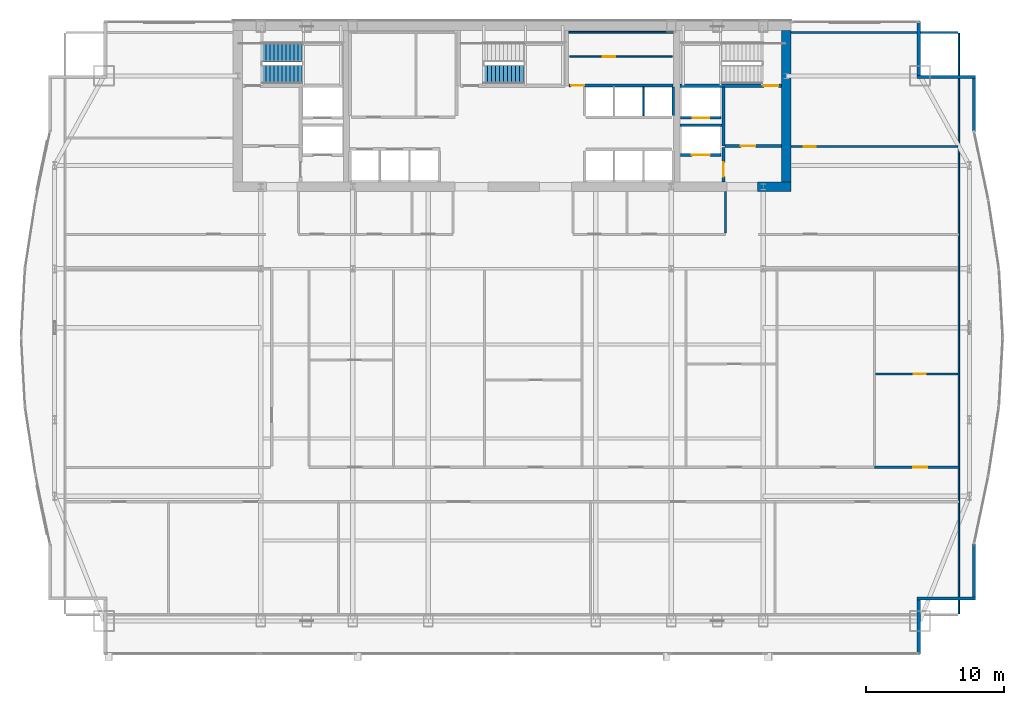
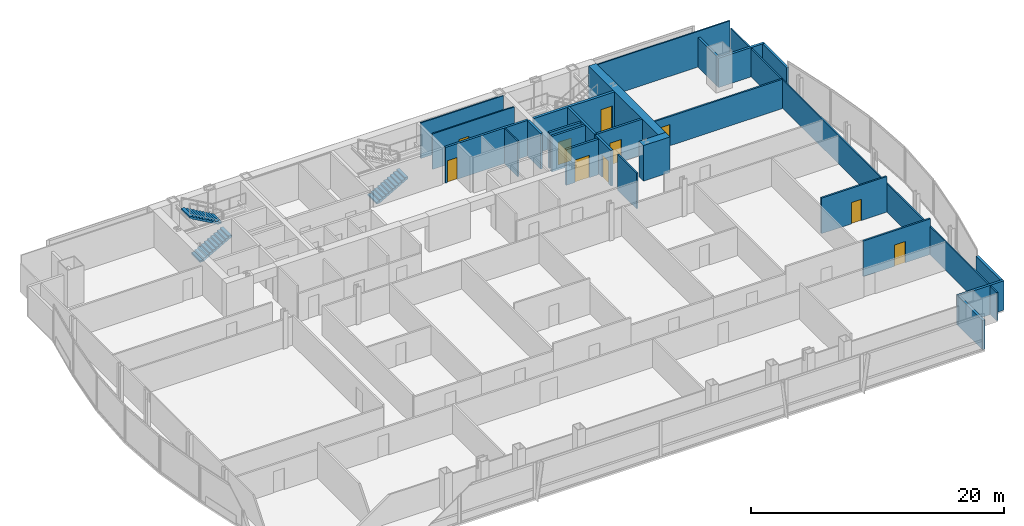
# One storey, part 30 of 33: 26 walls, 10 doors, 3 stair flights, 10 openings, 2 elements without a shape of their own.
"""IFC4 building model written with IfcOpenShell, lengths in metres."""

from ifc_helpers import new_model, si_unit, direction, frame, frame_2d, origin, place, context, subcontext, project, spatial, polyline, rectangle, outline, extrude, material, layer, layer_set, type_object, element, fill, aggregate, save


model = new_model("IFC4")

# Units and contexts
model_context = context("Model", 3, precision=1e-05, world=origin(), true_north=direction((0.0, 1.0)))
body_context = subcontext(model_context, "Body", "Model", "MODEL_VIEW")
ifc_project = project(units=[si_unit("LENGTHUNIT", "METRE"), si_unit("AREAUNIT", "SQUARE_METRE"), si_unit("VOLUMEUNIT", "CUBIC_METRE"), si_unit("PLANEANGLEUNIT", "RADIAN"), si_unit("MASSUNIT", "GRAM", prefix="KILO")], contexts=[model_context])

# Site, building, storey
site_placement = place(None, origin())
site = spatial("IfcSite", under=ifc_project, at=site_placement, CompositionType="ELEMENT")
building_placement = place(site_placement, origin())
building = spatial("IfcBuilding", under=site, at=building_placement, Name="Khoronbel Lancet Exchange", CompositionType="ELEMENT")
storey_placement = place(building_placement, frame((0.0, 0.0, 114.60009765625)))
storey = spatial("IfcBuildingStorey", under=building, at=storey_placement, Name="L27", CompositionType="ELEMENT", Elevation=114.60009765625)

# Walls
ifc_material_1 = material(Name="Concrete C80/95", Category="concrete")
ifc_layer_1 = layer(ifc_material_1, 0.699951171875, Name="Concrete C80/95")
ifc_layer_set_1 = layer_set([ifc_layer_1], Name="Concrete C80/95")
wall_type_1 = type_object("IfcWallType", Name="WL-CW2", PredefinedType="SHEAR", material=ifc_layer_set_1)
wall_1_placement = place(storey_placement, frame((56.35009765625, 53.0, 0.0), z_axis=(0.0, 0.0, 1.0), x_axis=(0.0, -1.0, 0.0)))
element("IfcWall", 1, at=wall_1_placement, inside=storey, type_object=wall_type_1, Name="Level L27 rear core east shear wall", PredefinedType="SHEAR", context=body_context, shape_type="SweptSolid", body=[
    extrude(rectangle(XDim=11.0, YDim=0.699951171875, at=frame_2d((5.5, 0.0))), origin(), (0.0, 0.0, 1.0), 3.43994140625),
])
wall_2_placement = place(storey_placement, frame((56.699951171875, 41.64990234375, 0.0), z_axis=(0.0, 0.0, 1.0), x_axis=(-1.0, 0.0, 0.0)))
element("IfcWall", 2, at=wall_2_placement, inside=storey, type_object=wall_type_1, Name="Level L27 rear core south shear wall pier P5", PredefinedType="SHEAR", context=body_context, shape_type="SweptSolid", body=[
    extrude(rectangle(XDim=2.449951171875, YDim=0.699951171875, at=frame_2d((1.22509765625, 0.0))), origin(), (0.0, 0.0, 1.0), 3.43994140625),
])
ifc_material_2 = material(Name="Precast concrete C40/50", Category="concrete")
ifc_layer_2 = layer(ifc_material_2, 0.25, Name="Precast concrete C40/50")
ifc_layer_set_2 = layer_set([ifc_layer_2], Name="Precast concrete C40/50")
wall_type_2 = type_object("IfcWallType", Name="WL-EXT250", PredefinedType="SOLIDWALL", material=ifc_layer_set_2)
wall_3_placement = place(storey_placement, frame((65.9599609375, 53.6298828125, 0.0), z_axis=(0.0, 0.0, 1.0), x_axis=(0.0, -1.0, 0.0)))
element("IfcWall", 3, at=wall_3_placement, inside=storey, type_object=wall_type_2, Name="Level L27 notched-corner limestone pier 14", PredefinedType="SOLIDWALL", context=body_context, shape_type="SweptSolid", body=[
    extrude(rectangle(XDim=3.909912109375, YDim=0.219970703125, at=frame_2d((1.955078125, 0.0))), origin(), (0.0, 0.0, 1.0), 2.829833984375),
])
wall_4_placement = place(storey_placement, frame((65.85009765625, 49.610107421875, 0.0), z_axis=(0.0, 0.0, 1.0), x_axis=(1.0, 0.0, 0.0)))
element("IfcWall", 4, at=wall_4_placement, inside=storey, type_object=wall_type_2, Name="Level L27 notched-corner limestone pier 15", PredefinedType="SOLIDWALL", context=body_context, shape_type="SweptSolid", body=[
    extrude(rectangle(XDim=4.219970703125, YDim=0.219970703125, at=frame_2d((2.10986328125, 0.0))), origin(), (0.0, 0.0, 1.0), 2.829833984375),
])
for number, where, z_axis, x_axis, name in (
    (5, (69.9599609375, 49.5, 0.0), (0.0, 0.0, 1.0), (0.0, -1.0, 0.0), "Level L27 notched-corner limestone pier 16"),
    (6, (69.9599609375, 15.729248046875, 0.0), (0.0, 0.0, 1.0), (0.0, -1.0, 0.0), "Level L27 notched-corner limestone pier 23"),
):
    element("IfcWall", number, at=place(storey_placement, frame(where, z_axis=z_axis, x_axis=x_axis)), inside=storey, type_object=wall_type_2, Name=name, PredefinedType="SOLIDWALL", context=body_context, shape_type="SweptSolid", body=[
        extrude(rectangle(XDim=3.829345703125, YDim=0.219970703125, at=frame_2d((1.91455078125, 0.0))), origin(), (0.0, 0.0, 1.0), 2.829833984375),
    ])
wall_5_placement = place(storey_placement, frame((70.070068359375, 11.7900390625, 0.0), z_axis=(0.0, 0.0, 1.0), x_axis=(-1.0, 0.0, 0.0)))
element("IfcWall", 7, at=wall_5_placement, inside=storey, type_object=wall_type_2, Name="Level L27 notched-corner limestone pier 24", PredefinedType="SOLIDWALL", context=body_context, shape_type="SweptSolid", body=[
    extrude(rectangle(XDim=4.219970703125, YDim=0.219970703125, at=frame_2d((2.10986328125, 0.0))), origin(), (0.0, 0.0, 1.0), 2.829833984375),
])
wall_6_placement = place(storey_placement, frame((65.9599609375, 11.679931640625, 0.0), z_axis=(0.0, 0.0, 1.0), x_axis=(0.0, -1.0, 0.0)))
element("IfcWall", 8, at=wall_6_placement, inside=storey, type_object=wall_type_2, Name="Level L27 notched-corner limestone pier 25", PredefinedType="SOLIDWALL", context=body_context, shape_type="SweptSolid", body=[
    extrude(rectangle(XDim=3.909912109375, YDim=0.219970703125, at=frame_2d((1.955078125, 0.0))), origin(), (0.0, 0.0, 1.0), 2.829833984375),
])
ifc_material_3 = material(Name="Acoustic Metal-Stud & Mineral-Wool Gypsum Partition 120 mm", Category="gypsum")
ifc_layer_3 = layer(ifc_material_3, 0.1201171875, Name="Acoustic Metal-Stud & Mineral-Wool Gypsum Partition 120 mm")
ifc_layer_set_3 = layer_set([ifc_layer_3], Name="Acoustic Metal-Stud & Mineral-Wool Gypsum Partition 120 mm")
wall_type_3 = type_object("IfcWallType", Name="WL-PRT120", PredefinedType="PARTITIONING", material=ifc_layer_set_3)
wall_7_placement = place(storey_placement, frame((51.949951171875, 38.280029296875, 0.0), z_axis=(0.0, 0.0, 1.0), x_axis=(0.0, 1.0, 0.0)))
element("IfcWall", 9, at=wall_7_placement, inside=storey, type_object=wall_type_3, Name="Level L27 interior partition PW-NP-1", PredefinedType="PARTITIONING", context=body_context, shape_type="SweptSolid", body=[
    extrude(rectangle(XDim=3.02001953125, YDim=0.14990234375, at=frame_2d((1.510009765625, 0.0))), origin(), (0.0, 0.0, 1.0), 3.43994140625),
])

# Wall, opening, door
wall_8_placement = place(storey_placement, frame((56.699951171875, 44.56005859375, 0.0), z_axis=(0.0, 0.0, 1.0), x_axis=(1.0, 0.0, 0.0)))
wall_8 = element("IfcWall", 10, at=wall_8_placement, inside=storey, type_object=wall_type_3, Name="Level L27 interior partition PW-NE-H", PredefinedType="PARTITIONING", context=body_context, shape_type="SweptSolid", body=[
    extrude(rectangle(XDim=12.10498046875, YDim=0.14990234375, at=frame_2d((6.052490234375, 0.0))), origin(), (0.0, 0.0, 1.0), 2.829833984375),
])
opening_1_placement = place(wall_8_placement, frame((0.89990234375, 0.0, 0.0)))
opening_1 = element("IfcOpeningElement", 11, at=opening_1_placement, cuts=wall_8, Name="Opening D5", PredefinedType="OPENING", context=body_context, shape_type="SweptSolid", body=[
    extrude(rectangle(XDim=0.89990234375, YDim=2.050048828125, at=frame_2d((0.449951171875, 1.02490234375))), frame((0.0, 0.0849609375, 0.0), z_axis=(0.0, -1.0, 0.0), x_axis=(1.0, 0.0, 0.0)), (0.0, 0.0, 1.0), 0.169921875),
])
ifc_material_4 = material(Name="Acoustic Timber Pantry & Support Door", Category="wood")
door_type_1 = type_object("IfcDoorType", Name="DR-D5", OperationType="NOTDEFINED", PredefinedType="DOOR", material=ifc_material_4)
door_1_placement = place(opening_1_placement, origin())
door_1 = element("IfcDoor", 12, at=door_1_placement, inside=storey, type_object=door_type_1, Name="NE north room door L27-1", OperationType="SINGLE_SWING_LEFT", OverallHeight=2.050048828125, OverallWidth=0.89990234375, PredefinedType="DOOR", context=body_context, shape_type="SweptSolid", body=[
    extrude(rectangle(XDim=0.89990234375, YDim=2.050048828125, at=frame_2d((0.449951171875, 1.02490234375))), frame((0.0, 0.02490234375, 0.0), z_axis=(0.0, -1.0, 0.0), x_axis=(1.0, 0.0, 0.0)), (0.0, 0.0, 1.0), 0.050048828125),
])
fill(opening_1, door_1)

wall_9_placement = place(storey_placement, frame((62.82177734375, 28.068115234375, 0.0), z_axis=(0.0, 0.0, 1.0), x_axis=(1.0, 0.0, 0.0)))
wall_9 = element("IfcWall", 13, at=wall_9_placement, inside=storey, type_object=wall_type_3, Name="Level L27 interior partition PW-Z2N-H7", PredefinedType="PARTITIONING", context=body_context, shape_type="SweptSolid", body=[
    extrude(rectangle(XDim=5.983154296875, YDim=0.14990234375, at=frame_2d((2.99169921875, 0.0))), origin(), (0.0, 0.0, 1.0), 3.43994140625),
])
opening_2_placement = place(wall_9_placement, frame((2.7578125, 0.0, 0.0)))
opening_2 = element("IfcOpeningElement", 14, at=opening_2_placement, cuts=wall_9, Name="Opening D5", PredefinedType="OPENING", context=body_context, shape_type="SweptSolid", body=[
    extrude(rectangle(XDim=0.89990234375, YDim=2.050048828125, at=frame_2d((0.449951171875, 1.02490234375))), frame((0.0, 0.0849609375, 0.0), z_axis=(0.0, -1.0, 0.0), x_axis=(1.0, 0.0, 0.0)), (0.0, 0.0, 1.0), 0.169921875),
])
door_2_placement = place(opening_2_placement, origin())
door_2 = element("IfcDoor", 15, at=door_2_placement, inside=storey, type_object=door_type_1, Name="Z2N inner door 7 L27-1", OperationType="SINGLE_SWING_LEFT", OverallHeight=2.050048828125, OverallWidth=0.89990234375, PredefinedType="DOOR", context=body_context, shape_type="SweptSolid", body=[
    extrude(rectangle(XDim=0.89990234375, YDim=2.050048828125, at=frame_2d((0.449951171875, 1.02490234375))), frame((0.0, 0.02490234375, 0.0), z_axis=(0.0, -1.0, 0.0), x_axis=(1.0, 0.0, 0.0)), (0.0, 0.0, 1.0), 0.050048828125),
])
fill(opening_2, door_2)

# Walls
wall_10_placement = place(storey_placement, frame((68.8701171875, 10.6650390625, 0.0), z_axis=(0.0, 0.0, 1.0), x_axis=(0.0, 1.0, 0.0)))
element("IfcWall", 16, at=wall_10_placement, inside=storey, type_object=wall_type_3, Name="Level L27 interior partition PW-LIN-E", PredefinedType="PARTITIONING", context=body_context, shape_type="SweptSolid", body=[
    extrude(rectangle(XDim=42.10986328125, YDim=0.1201171875, at=frame_2d((21.054931640625, 0.0))), origin(), (0.0, 0.0, 1.0), 2.72998046875),
])
wall_11_placement = place(storey_placement, frame((56.699951171875, 52.840087890625, 0.0), z_axis=(0.0, 0.0, 1.0), x_axis=(1.0, 0.0, 0.0)))
element("IfcWall", 17, at=wall_11_placement, inside=storey, type_object=wall_type_3, Name="Level L27 interior partition PW-LIN-NE", PredefinedType="PARTITIONING", context=body_context, shape_type="SweptSolid", body=[
    extrude(rectangle(XDim=12.10498046875, YDim=0.1201171875, at=frame_2d((6.052490234375, 0.0))), origin(), (0.0, 0.0, 1.0), 3.43994140625),
])
ifc_material_5 = material(Name="Fire-Rated Metal-Stud & Mineral-Wool Gypsum Partition 120 mm", Category="gypsum")
ifc_layer_4 = layer(ifc_material_5, 0.1201171875, Name="Fire-Rated Metal-Stud & Mineral-Wool Gypsum Partition 120 mm")
ifc_layer_set_4 = layer_set([ifc_layer_4], Name="Fire-Rated Metal-Stud & Mineral-Wool Gypsum Partition 120 mm")
wall_type_4 = type_object("IfcWallType", Name="WL-PRT120F", PredefinedType="PARTITIONING", material=ifc_layer_set_4)
wall_12_placement = place(storey_placement, frame((46.0, 46.804931640625, 0.0), z_axis=(0.0, 0.0, 1.0), x_axis=(0.0, 1.0, 0.0)))
element("IfcWall", 18, at=wall_12_placement, inside=storey, type_object=wall_type_4, Name="Level L27 interior partition CW-PH-D2", PredefinedType="PARTITIONING", context=body_context, shape_type="SweptSolid", body=[
    extrude(rectangle(XDim=2.090087890625, YDim=0.1201171875, at=frame_2d((1.044921875, 0.0))), origin(), (0.0, 0.0, 1.0), 3.43994140625),
])
wall_13_placement = place(storey_placement, frame((40.580078125, 52.860107421875, 0.0), z_axis=(0.0, 0.0, 1.0), x_axis=(1.0, 0.0, 0.0)))
element("IfcWall", 19, at=wall_13_placement, inside=storey, type_object=wall_type_4, Name="Level L27 interior partition CW-SUP-NE-N", PredefinedType="PARTITIONING", context=body_context, shape_type="SweptSolid", body=[
    extrude(rectangle(XDim=7.559814453125, YDim=0.1201171875, at=frame_2d((3.77978515625, 0.0))), origin(), (0.0, 0.0, 1.0), 3.43994140625),
])

# Wall, opening, door
wall_14_placement = place(storey_placement, frame((40.6298828125, 51.090087890625, 0.0), z_axis=(0.0, 0.0, 1.0), x_axis=(1.0, 0.0, 0.0)))
wall_14 = element("IfcWall", 20, at=wall_14_placement, inside=storey, type_object=wall_type_4, Name="Level L27 interior partition CW-SUP-NE-H", PredefinedType="PARTITIONING", context=body_context, shape_type="SweptSolid", body=[
    extrude(rectangle(XDim=7.460205078125, YDim=0.1201171875, at=frame_2d((3.72998046875, 0.0))), origin(), (0.0, 0.0, 1.0), 3.43994140625),
])
opening_3_placement = place(wall_14_placement, frame((2.39990234375, 0.0, 0.0)))
opening_3 = element("IfcOpeningElement", 21, at=opening_3_placement, cuts=wall_14, Name="Opening FD4", PredefinedType="OPENING", context=body_context, shape_type="SweptSolid", body=[
    extrude(rectangle(XDim=0.89990234375, YDim=2.050048828125, at=frame_2d((0.449951171875, 1.02490234375))), frame((0.0, 0.070068359375, 0.0), z_axis=(0.0, -1.0, 0.0), x_axis=(1.0, 0.0, 0.0)), (0.0, 0.0, 1.0), 0.14013671875),
])
ifc_material_6 = material(Name="Fire-Rated Steel Core Support Door Assembly", Category="steel")
door_type_2 = type_object("IfcDoorType", Name="DR-FD4", OperationType="NOTDEFINED", PredefinedType="DOOR", material=ifc_material_6)
door_3_placement = place(opening_3_placement, origin())
door_3 = element("IfcDoor", 22, at=door_3_placement, inside=storey, type_object=door_type_2, Name="Core NE north store door L27-1", OperationType="SINGLE_SWING_RIGHT", OverallHeight=2.050048828125, OverallWidth=0.89990234375, PredefinedType="DOOR", context=body_context, shape_type="SweptSolid", body=[
    extrude(rectangle(XDim=0.89990234375, YDim=2.050048828125, at=frame_2d((0.449951171875, 1.02490234375))), frame((0.0, 0.02490234375, 0.0), z_axis=(0.0, -1.0, 0.0), x_axis=(1.0, 0.0, 0.0)), (0.0, 0.0, 1.0), 0.050048828125),
])
fill(opening_3, door_3)

ifc_material_7 = material(Name="Fire-Rated Twin-Stud Acoustic Gypsum Partition 160 mm", Category="gypsum")
ifc_layer_5 = layer(ifc_material_7, 0.159912109375, Name="Fire-Rated Twin-Stud Acoustic Gypsum Partition 160 mm")
ifc_layer_set_5 = layer_set([ifc_layer_5], Name="Fire-Rated Twin-Stud Acoustic Gypsum Partition 160 mm")
wall_type_5 = type_object("IfcWallType", Name="WL-PRT160C", PredefinedType="PARTITIONING", material=ifc_layer_set_5)
wall_15_placement = place(storey_placement, frame((62.74169921875, 21.300048828125, 0.0), z_axis=(0.0, 0.0, 1.0), x_axis=(1.0, 0.0, 0.0)))
wall_15 = element("IfcWall", 23, at=wall_15_placement, inside=storey, type_object=wall_type_5, Name="Level L27 interior partition PW-Z2N-COR7", PredefinedType="PARTITIONING", context=body_context, shape_type="SweptSolid", body=[
    extrude(rectangle(XDim=6.12841796875, YDim=0.159912109375, at=frame_2d((3.064208984375, 0.0))), origin(), (0.0, 0.0, 1.0), 3.43994140625),
])
opening_4_placement = place(wall_15_placement, frame((2.82373046875, 0.0, 0.0)))
opening_4 = element("IfcOpeningElement", 24, at=opening_4_placement, cuts=wall_15, Name="Opening D2", PredefinedType="OPENING", context=body_context, shape_type="SweptSolid", body=[
    extrude(rectangle(XDim=1.0, YDim=2.050048828125, at=frame_2d((0.5, 1.02490234375))), frame((0.0, 0.08984375, 0.0), z_axis=(0.0, -1.0, 0.0), x_axis=(1.0, 0.0, 0.0)), (0.0, 0.0, 1.0), 0.179931640625),
])
ifc_material_8 = material(Name="Acoustic Veneered Timber & Bronze Frame Door", Category="wood")
door_type_3 = type_object("IfcDoorType", Name="DR-D2", OperationType="NOTDEFINED", PredefinedType="DOOR", material=ifc_material_8)
door_4_placement = place(opening_4_placement, origin())
door_4 = element("IfcDoor", 25, at=door_4_placement, inside=storey, type_object=door_type_3, Name="Z2N bay 7 door L27-1", OperationType="SINGLE_SWING_RIGHT", OverallHeight=2.050048828125, OverallWidth=1.0, PredefinedType="DOOR", context=body_context, shape_type="SweptSolid", body=[
    extrude(rectangle(XDim=1.0, YDim=2.050048828125, at=frame_2d((0.5, 1.02490234375))), frame((0.0, 0.02490234375, 0.0), z_axis=(0.0, -1.0, 0.0), x_axis=(1.0, 0.0, 0.0)), (0.0, 0.0, 1.0), 0.050048828125),
])
fill(opening_4, door_4)

ifc_material_9 = material(Name="Autoclaved Aerated Concrete Blockwork 200 mm", Category="masonry")
ifc_layer_6 = layer(ifc_material_9, 0.199951171875, Name="Autoclaved Aerated Concrete Blockwork 200 mm")
ifc_layer_set_6 = layer_set([ifc_layer_6], Name="Autoclaved Aerated Concrete Blockwork 200 mm")
wall_type_6 = type_object("IfcWallType", Name="WL-PRT200", PredefinedType="PARTITIONING", material=ifc_layer_set_6)
wall_16_placement = place(storey_placement, frame((51.610107421875, 43.949951171875, 0.0), z_axis=(0.0, 0.0, 1.0), x_axis=(-1.0, 0.0, 0.0)))
wall_16 = element("IfcWall", 26, at=wall_16_placement, inside=storey, type_object=wall_type_6, Name="Level L27 elevator hoistway landing front wall SVLE", PredefinedType="PARTITIONING", context=body_context, shape_type="SweptSolid", body=[
    extrude(rectangle(XDim=2.920166015625, YDim=0.199951171875, at=frame_2d((1.4599609375, 0.0))), origin(), (0.0, 0.0, 1.0), 3.43994140625),
])
opening_5_placement = place(wall_16_placement, frame((0.81005859375, 0.0, 0.0)))
opening_5 = element("IfcOpeningElement", 27, at=opening_5_placement, cuts=wall_16, Name="Opening LD-SVL2", PredefinedType="OPENING", context=body_context, shape_type="SweptSolid", body=[
    extrude(rectangle(XDim=1.300048828125, YDim=2.179931640625, at=frame_2d((0.64990234375, 1.08984375))), frame((0.0, 0.10986328125, 0.0), z_axis=(0.0, -1.0, 0.0), x_axis=(1.0, 0.0, 0.0)), (0.0, 0.0, 1.0), 0.219970703125),
])
ifc_material_10 = material(Name="Heavy-Duty Bi-Parting Goods Lift Landing Door", Category="steel")
door_type_4 = type_object("IfcDoorType", Name="DR-LD-SVL", OperationType="NOTDEFINED", PredefinedType="DOOR", material=ifc_material_10)
door_5_placement = place(opening_5_placement, origin())
door_5 = element("IfcDoor", 28, at=door_5_placement, inside=storey, type_object=door_type_4, Name="Elevator landing sliding door LD-SVL2 L27", OperationType="SLIDING_TO_LEFT", OverallHeight=2.179931640625, OverallWidth=1.300048828125, PredefinedType="DOOR", context=body_context, shape_type="SweptSolid", body=[
    extrude(rectangle(XDim=1.300048828125, YDim=2.179931640625, at=frame_2d((0.64990234375, 1.08984375))), frame((0.0, 0.02490234375, 0.0), z_axis=(0.0, -1.0, 0.0), x_axis=(1.0, 0.0, 0.0)), (0.0, 0.0, 1.0), 0.050048828125),
])
fill(opening_5, door_5)

wall_17_placement = place(storey_placement, frame((51.610107421875, 46.64990234375, 0.0), z_axis=(0.0, 0.0, 1.0), x_axis=(-1.0, 0.0, 0.0)))
wall_17 = element("IfcWall", 29, at=wall_17_placement, inside=storey, type_object=wall_type_6, Name="Level L27 elevator hoistway landing front wall FFLE", PredefinedType="PARTITIONING", context=body_context, shape_type="SweptSolid", body=[
    extrude(rectangle(XDim=2.920166015625, YDim=0.199951171875, at=frame_2d((1.4599609375, 0.0))), origin(), (0.0, 0.0, 1.0), 3.43994140625),
])
opening_6_placement = place(wall_17_placement, frame((0.860107421875, 0.0, 0.0)))
opening_6 = element("IfcOpeningElement", 30, at=opening_6_placement, cuts=wall_17, Name="Opening LD-FFL2", PredefinedType="OPENING", context=body_context, shape_type="SweptSolid", body=[
    extrude(rectangle(XDim=1.199951171875, YDim=2.179931640625, at=frame_2d((0.60009765625, 1.08984375))), frame((0.0, 0.10986328125, 0.0), z_axis=(0.0, -1.0, 0.0), x_axis=(1.0, 0.0, 0.0)), (0.0, 0.0, 1.0), 0.219970703125),
])
ifc_material_11 = material(Name="Fire-Rated Stainless Bi-Parting Firefighting Lift Door", Category="steel")
door_type_5 = type_object("IfcDoorType", Name="DR-LD-FFL", OperationType="NOTDEFINED", PredefinedType="DOOR", material=ifc_material_11)
door_6_placement = place(opening_6_placement, origin())
door_6 = element("IfcDoor", 31, at=door_6_placement, inside=storey, type_object=door_type_5, Name="Elevator landing sliding door LD-FFL2 L27", OperationType="SLIDING_TO_LEFT", OverallHeight=2.179931640625, OverallWidth=1.199951171875, PredefinedType="DOOR", context=body_context, shape_type="SweptSolid", body=[
    extrude(rectangle(XDim=1.199951171875, YDim=2.179931640625, at=frame_2d((0.60009765625, 1.08984375))), frame((0.0, 0.02490234375, 0.0), z_axis=(0.0, -1.0, 0.0), x_axis=(1.0, 0.0, 0.0)), (0.0, 0.0, 1.0), 0.050048828125),
])
fill(opening_6, door_6)

# Wall
wall_18_placement = place(storey_placement, frame((51.800048828125, 44.60009765625, 0.0), z_axis=(0.0, 0.0, 1.0), x_axis=(0.0, 1.0, 0.0)))
element("IfcWall", 32, at=wall_18_placement, inside=storey, type_object=wall_type_6, Name="Level L27 interior partition CW-FFLE-W", PredefinedType="PARTITIONING", context=body_context, shape_type="SweptSolid", body=[
    extrude(rectangle(XDim=4.2998046875, YDim=0.199951171875, at=frame_2d((2.14990234375, 0.0))), origin(), (0.0, 0.0, 1.0), 3.43994140625),
])

# Wall, opening, door
wall_19_placement = place(storey_placement, frame((51.89990234375, 44.60009765625, 0.0), z_axis=(0.0, 0.0, 1.0), x_axis=(1.0, 0.0, 0.0)))
wall_19 = element("IfcWall", 33, at=wall_19_placement, inside=storey, type_object=wall_type_6, Name="Level L27 interior partition CW-FFLE-S", PredefinedType="PARTITIONING", context=body_context, shape_type="SweptSolid", body=[
    extrude(rectangle(XDim=4.10009765625, YDim=0.199951171875, at=frame_2d((2.050048828125, 0.0))), origin(), (0.0, 0.0, 1.0), 3.43994140625),
])
opening_7_placement = place(wall_19_placement, frame((1.14990234375, 0.0, 0.0)))
opening_7 = element("IfcOpeningElement", 34, at=opening_7_placement, cuts=wall_19, Name="Opening FD1", PredefinedType="OPENING", context=body_context, shape_type="SweptSolid", body=[
    extrude(rectangle(XDim=1.050048828125, YDim=2.14990234375, at=frame_2d((0.52490234375, 1.074951171875))), frame((0.0, 0.10986328125, 0.0), z_axis=(0.0, -1.0, 0.0), x_axis=(1.0, 0.0, 0.0)), (0.0, 0.0, 1.0), 0.219970703125),
])
ifc_material_12 = material(Name="Fire-Rated Painted Steel Door Assembly", Category="steel")
door_type_6 = type_object("IfcDoorType", Name="DR-FD1", OperationType="NOTDEFINED", PredefinedType="DOOR", material=ifc_material_12)
door_7_placement = place(opening_7_placement, origin())
door_7 = element("IfcDoor", 35, at=door_7_placement, inside=storey, type_object=door_type_6, Name="East firefighting lobby FD90S door L27-1", OperationType="SINGLE_SWING_LEFT", OverallHeight=2.14990234375, OverallWidth=1.050048828125, PredefinedType="DOOR", context=body_context, shape_type="SweptSolid", body=[
    extrude(rectangle(XDim=1.050048828125, YDim=2.14990234375, at=frame_2d((0.52490234375, 1.074951171875))), frame((0.0, 0.02490234375, 0.0), z_axis=(0.0, -1.0, 0.0), x_axis=(1.0, 0.0, 0.0)), (0.0, 0.0, 1.0), 0.050048828125),
])
fill(opening_7, door_7)

# Wall
wall_20_placement = place(storey_placement, frame((48.6298828125, 46.1201171875, 0.0), z_axis=(0.0, 0.0, 1.0), x_axis=(1.0, 0.0, 0.0)))
element("IfcWall", 36, at=wall_20_placement, inside=storey, type_object=wall_type_6, Name="Level L27 interior partition CW-FFL2-S", PredefinedType="PARTITIONING", context=body_context, shape_type="SweptSolid", body=[
    extrude(rectangle(XDim=3.070068359375, YDim=0.199951171875, at=frame_2d((1.53515625, 0.0))), origin(), (0.0, 0.0, 1.0), 3.43994140625),
])

# Wall, opening, door
wall_21_placement = place(storey_placement, frame((51.800048828125, 42.0, 0.0), z_axis=(0.0, 0.0, 1.0), x_axis=(0.0, 1.0, 0.0)))
wall_21 = element("IfcWall", 37, at=wall_21_placement, inside=storey, type_object=wall_type_6, Name="Level L27 interior partition CW-SVLE-E", PredefinedType="PARTITIONING", context=body_context, shape_type="SweptSolid", body=[
    extrude(rectangle(XDim=2.4951171875, YDim=0.199951171875, at=frame_2d((1.24755859375, 0.0))), origin(), (0.0, 0.0, 1.0), 3.43994140625),
])
opening_8_placement = place(wall_21_placement, frame((0.3798828125, 0.0, 0.0)))
opening_8 = element("IfcOpeningElement", 38, at=opening_8_placement, cuts=wall_21, Name="Opening FD1", PredefinedType="OPENING", context=body_context, shape_type="SweptSolid", body=[
    extrude(rectangle(XDim=1.050048828125, YDim=2.14990234375, at=frame_2d((0.52490234375, 1.074951171875))), frame((0.0, 0.10986328125, 0.0), z_axis=(0.0, -1.0, 0.0), x_axis=(1.0, 0.0, 0.0)), (0.0, 0.0, 1.0), 0.219970703125),
])
door_8_placement = place(opening_8_placement, origin())
door_8 = element("IfcDoor", 39, at=door_8_placement, inside=storey, type_object=door_type_6, Name="East service lift lobby door L27-1", OperationType="SINGLE_SWING_RIGHT", OverallHeight=2.14990234375, OverallWidth=1.050048828125, PredefinedType="DOOR", context=body_context, shape_type="SweptSolid", body=[
    extrude(rectangle(XDim=1.050048828125, YDim=2.14990234375, at=frame_2d((0.52490234375, 1.074951171875))), frame((0.0, 0.02490234375, 0.0), z_axis=(0.0, -1.0, 0.0), x_axis=(1.0, 0.0, 0.0)), (0.0, 0.0, 1.0), 0.050048828125),
])
fill(opening_8, door_8)

# Wall
wall_22_placement = place(storey_placement, frame((48.139892578125, 46.804931640625, 0.0), z_axis=(0.0, 0.0, 1.0), x_axis=(0.0, 1.0, 0.0)))
element("IfcWall", 40, at=wall_22_placement, inside=storey, type_object=wall_type_6, Name="Level L27 interior partition CW-PH-E", PredefinedType="PARTITIONING", context=body_context, shape_type="SweptSolid", body=[
    extrude(rectangle(XDim=2.090087890625, YDim=0.199951171875, at=frame_2d((1.044921875, 0.0))), origin(), (0.0, 0.0, 1.0), 3.43994140625),
])

# Wall, opening, door
wall_23_placement = place(storey_placement, frame((40.580078125, 49.0, 0.0), z_axis=(0.0, 0.0, 1.0), x_axis=(1.0, 0.0, 0.0)))
wall_23 = element("IfcWall", 41, at=wall_23_placement, inside=storey, type_object=wall_type_6, Name="Level L27 interior partition CW-SUP-NE-S", PredefinedType="PARTITIONING", context=body_context, shape_type="SweptSolid", body=[
    extrude(rectangle(XDim=7.559814453125, YDim=0.199951171875, at=frame_2d((3.77978515625, 0.0))), origin(), (0.0, 0.0, 1.0), 3.43994140625),
])
opening_9_placement = place(wall_23_placement, frame((0.159912109375, 0.0, 0.0)))
opening_9 = element("IfcOpeningElement", 42, at=opening_9_placement, cuts=wall_23, Name="Opening FD3", PredefinedType="OPENING", context=body_context, shape_type="SweptSolid", body=[
    extrude(rectangle(XDim=0.949951171875, YDim=2.10009765625, at=frame_2d((0.47509765625, 1.050048828125))), frame((0.0, 0.10986328125, 0.0), z_axis=(0.0, -1.0, 0.0), x_axis=(1.0, 0.0, 0.0)), (0.0, 0.0, 1.0), 0.219970703125),
])
ifc_material_13 = material(Name="Fire-Rated Steel Plant & Riser Door Assembly", Category="steel")
door_type_7 = type_object("IfcDoorType", Name="DR-FD3", OperationType="NOTDEFINED", PredefinedType="DOOR", material=ifc_material_13)
door_9_placement = place(opening_9_placement, origin())
door_9 = element("IfcDoor", 43, at=door_9_placement, inside=storey, type_object=door_type_7, Name="Core NE support room door L27-1", OperationType="SINGLE_SWING_LEFT", OverallHeight=2.10009765625, OverallWidth=0.949951171875, PredefinedType="DOOR", context=body_context, shape_type="SweptSolid", body=[
    extrude(rectangle(XDim=0.949951171875, YDim=2.10009765625, at=frame_2d((0.47509765625, 1.050048828125))), frame((0.0, 0.02490234375, 0.0), z_axis=(0.0, -1.0, 0.0), x_axis=(1.0, 0.0, 0.0)), (0.0, 0.0, 1.0), 0.050048828125),
])
fill(opening_9, door_9)

ifc_material_14 = material(Name="Concrete C60/75", Category="concrete")
ifc_layer_7 = layer(ifc_material_14, 0.260009765625, Name="Concrete C60/75")
ifc_layer_set_7 = layer_set([ifc_layer_7], Name="Concrete C60/75")
wall_type_7 = type_object("IfcWallType", Name="WL-SW3", PredefinedType="SHEAR", material=ifc_layer_set_7)
wall_24_placement = place(storey_placement, frame((48.6298828125, 48.97998046875, 0.0), z_axis=(0.0, 0.0, 1.0), x_axis=(1.0, 0.0, 0.0)))
wall_24 = element("IfcWall", 44, at=wall_24_placement, inside=storey, type_object=wall_type_7, Name="Level L27 east stairwell structural south wall", PredefinedType="SHEAR", context=body_context, shape_type="SweptSolid", body=[
    extrude(rectangle(XDim=7.3701171875, YDim=0.239990234375, at=frame_2d((3.68505859375, 0.0))), origin(), (0.0, 0.0, 1.0), 3.43994140625),
])
opening_10_placement = place(wall_24_placement, frame((6.10009765625, 0.0, 0.0)))
opening_10 = element("IfcOpeningElement", 45, at=opening_10_placement, cuts=wall_24, Name="Opening SD1", PredefinedType="OPENING", context=body_context, shape_type="SweptSolid", body=[
    extrude(rectangle(XDim=1.050048828125, YDim=2.14990234375, at=frame_2d((0.52490234375, 1.074951171875))), frame((0.0, 0.1298828125, 0.0), z_axis=(0.0, -1.0, 0.0), x_axis=(1.0, 0.0, 0.0)), (0.0, 0.0, 1.0), 0.260009765625),
])
ifc_material_15 = material(Name="Fire-Rated Steel Stairwell Door Assembly", Category="steel")
door_type_8 = type_object("IfcDoorType", Name="DR-SD1", OperationType="NOTDEFINED", PredefinedType="DOOR", material=ifc_material_15)
door_10_placement = place(opening_10_placement, origin())
door_10 = element("IfcDoor", 46, at=door_10_placement, inside=storey, type_object=door_type_8, Name="Protected exit stair ST2 door L27", OperationType="SINGLE_SWING_RIGHT", OverallHeight=2.14990234375, OverallWidth=1.050048828125, PredefinedType="DOOR", context=body_context, shape_type="SweptSolid", body=[
    extrude(rectangle(XDim=1.050048828125, YDim=2.14990234375, at=frame_2d((0.52490234375, 1.074951171875))), frame((0.0, 0.02490234375, 0.0), z_axis=(0.0, -1.0, 0.0), x_axis=(1.0, 0.0, 0.0)), (0.0, 0.0, 1.0), 0.050048828125),
])
fill(opening_10, door_10)

# Stair, stair flights
ifc_material_16 = material(Name="Concrete C40/50", Category="concrete")
stair_type = type_object("IfcStairType", Name="STR-CORE150", PredefinedType="HALF_TURN_STAIR", material=ifc_material_16)
stair_1_placement = place(storey_placement, origin())
stair_1 = element("IfcStair", 47, at=stair_1_placement, inside=storey, type_object=stair_type, Name="L27 Protected Exit Stair ST1", PredefinedType="HALF_TURN_STAIR")
stair_flight_type = type_object("IfcStairFlightType", Name="STF-150", PredefinedType="STRAIGHT", material=ifc_material_16)
stair_flight_1_placement = place(storey_placement, frame((18.300048828125, 49.81005859375, 0.0), z_axis=(0.0, 0.0, 1.0), x_axis=(1.0, 0.0, 0.0)))
stair_flight_1 = element("IfcStairFlight", 48, at=stair_flight_1_placement, type_object=stair_flight_type, Name="ST1 flight 1", NumberOfRisers=11, NumberOfTreads=10, PredefinedType="STRAIGHT", RiserHeight=0.163636364, TreadLength=0.29, context=body_context, shape_type="SweptSolid", body=[
    extrude(outline(polyline([(0.0, 0.0), (0.0, 0.16357421875), (0.2900390625, 0.16357421875), (0.2900390625, 0.327392578125), (0.580078125, 0.327392578125), (0.580078125, 0.490966796875), (0.8701171875, 0.490966796875), (0.8701171875, 0.654541015625), (1.159912109375, 0.654541015625), (1.159912109375, 0.818115234375), (1.449951171875, 0.818115234375), (1.449951171875, 0.98193359375), (1.739990234375, 0.98193359375), (1.739990234375, 1.1455078125), (2.030029296875, 1.1455078125), (2.030029296875, 1.30908203125), (2.320068359375, 1.30908203125), (2.320068359375, 1.47265625), (2.610107421875, 1.47265625), (2.610107421875, 1.636474609375), (2.89990234375, 1.636474609375), (2.89990234375, 1.800048828125), (2.89990234375, 1.46435546875), (0.304931640625, 0.0), (0.0, 0.0)])), frame((0.0, 0.68994140625, 0.0), z_axis=(0.0, -1.0, 0.0), x_axis=(1.0, 0.0, 0.0)), (0.0, 0.0, 1.0), 1.3798828125),
])
stair_flight_2_placement = place(storey_placement, frame((21.199951171875, 51.409912109375, 1.7998046875), z_axis=(0.0, 0.0, 1.0), x_axis=(-1.0, 0.0, 0.0)))
stair_flight_2 = element("IfcStairFlight", 49, at=stair_flight_2_placement, type_object=stair_flight_type, Name="ST1 flight 2", NumberOfRisers=11, NumberOfTreads=10, PredefinedType="STRAIGHT", RiserHeight=0.163636364, TreadLength=0.29, context=body_context, shape_type="SweptSolid", body=[
    extrude(outline(polyline([(0.0, 0.0), (0.0, 0.16357421875), (0.2900390625, 0.16357421875), (0.2900390625, 0.327392578125), (0.580078125, 0.327392578125), (0.580078125, 0.490966796875), (0.8701171875, 0.490966796875), (0.8701171875, 0.654541015625), (1.159912109375, 0.654541015625), (1.159912109375, 0.818115234375), (1.449951171875, 0.818115234375), (1.449951171875, 0.98193359375), (1.739990234375, 0.98193359375), (1.739990234375, 1.1455078125), (2.030029296875, 1.1455078125), (2.030029296875, 1.30908203125), (2.320068359375, 1.30908203125), (2.320068359375, 1.47265625), (2.610107421875, 1.47265625), (2.610107421875, 1.636474609375), (2.89990234375, 1.636474609375), (2.89990234375, 1.800048828125), (2.89990234375, 1.46435546875), (0.304931640625, 0.0), (0.0, 0.0)])), frame((0.0, 0.68994140625, 0.0), z_axis=(0.0, -1.0, 0.0), x_axis=(1.0, 0.0, 0.0)), (0.0, 0.0, 1.0), 1.3798828125),
])
aggregate(stair_1, [stair_flight_1, stair_flight_2])

# Stair, stair flight
stair_2_placement = place(storey_placement, origin())
stair_2 = element("IfcStair", 50, at=stair_2_placement, inside=storey, type_object=stair_type, Name="L27 Protected Exit Stair ST3", PredefinedType="HALF_TURN_STAIR")
stair_flight_3_placement = place(storey_placement, frame((34.39990234375, 49.81005859375, 0.0), z_axis=(0.0, 0.0, 1.0), x_axis=(1.0, 0.0, 0.0)))
stair_flight_3 = element("IfcStairFlight", 51, at=stair_flight_3_placement, type_object=stair_flight_type, Name="ST3 flight 1", NumberOfRisers=11, NumberOfTreads=10, PredefinedType="STRAIGHT", RiserHeight=0.163636364, TreadLength=0.29, context=body_context, shape_type="SweptSolid", body=[
    extrude(outline(polyline([(0.0, 0.0), (0.0, 0.16357421875), (0.2900390625, 0.16357421875), (0.2900390625, 0.327392578125), (0.580078125, 0.327392578125), (0.580078125, 0.490966796875), (0.8701171875, 0.490966796875), (0.8701171875, 0.654541015625), (1.159912109375, 0.654541015625), (1.159912109375, 0.818115234375), (1.449951171875, 0.818115234375), (1.449951171875, 0.98193359375), (1.739990234375, 0.98193359375), (1.739990234375, 1.1455078125), (2.030029296875, 1.1455078125), (2.030029296875, 1.30908203125), (2.320068359375, 1.30908203125), (2.320068359375, 1.47265625), (2.610107421875, 1.47265625), (2.610107421875, 1.636474609375), (2.89990234375, 1.636474609375), (2.89990234375, 1.800048828125), (2.89990234375, 1.46435546875), (0.304931640625, 0.0), (0.0, 0.0)])), frame((0.0, 0.68994140625, 0.0), z_axis=(0.0, -1.0, 0.0), x_axis=(1.0, 0.0, 0.0)), (0.0, 0.0, 1.0), 1.3798828125),
])
aggregate(stair_2, [stair_flight_3])

save(model, "model.ifc")
